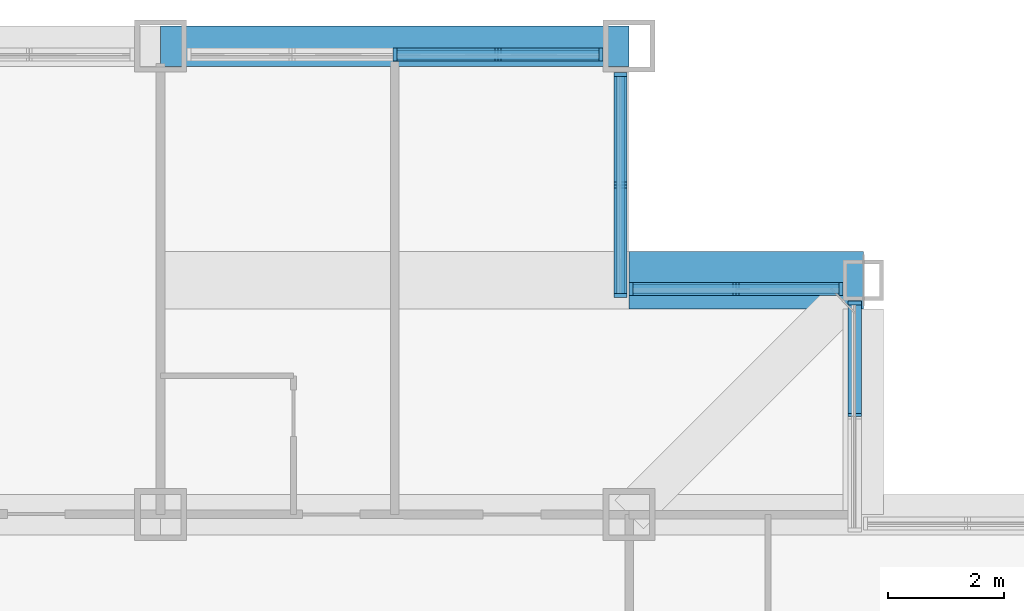
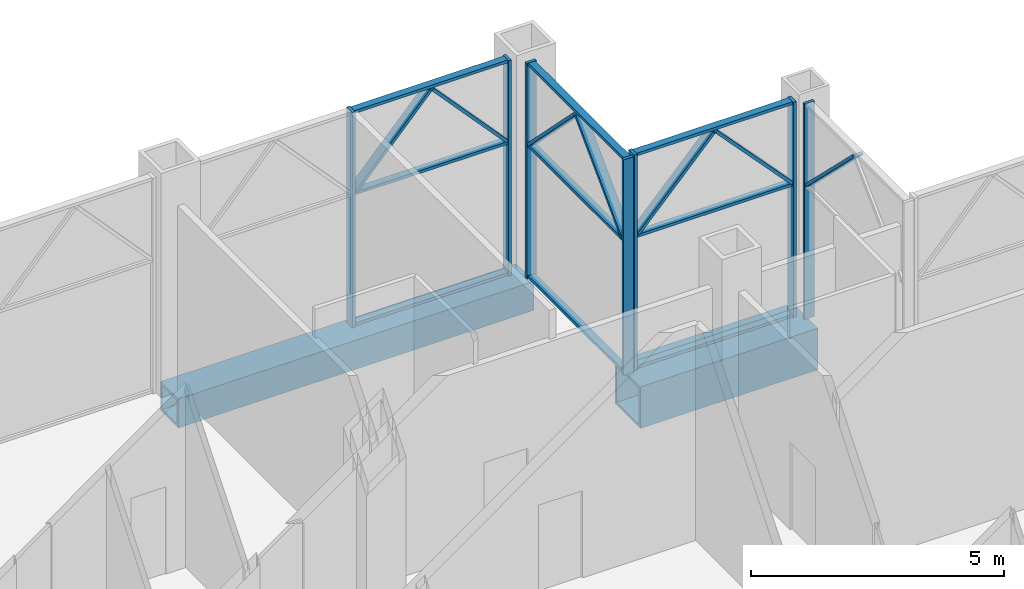
# One storey, part 9 of 26: 23 members, 2 beams, 4 elements without a shape of their own.
"""IFC4 building model written with IfcOpenShell, lengths in metres."""

import ifcopenshell
import ifcopenshell.guid

model = None  # the IFC model being written
_history = None  # IfcOwnerHistory: only IFC2X3 demands one
_inside = {}  # id of a spatial element -> (the spatial element, [elements in it])
_under = {}  # id of a project, library or spatial element -> (it, [spatial elements below it])
_declared = {}  # id of a project -> (the project, [libraries it declares])
_typed = {}  # id of a type object -> (the type object, [elements of that type])
_made_of = {}  # id of a material, layer set ... -> (it, [elements and type objects made of it])


def new_model(schema):
    """Start an empty IFC model of exactly this schema.

    Asked for "IFC4X3", IfcOpenShell would pick the latest addendum, in which some entities
    have other attributes; the version numbers below select the first issue.
    IFC2X3 requires an IfcOwnerHistory on every rooted entity: one is made here for all.
    """
    global model, _history
    if schema == "IFC4X3":
        model = ifcopenshell.file(schema_version=(4, 3, 0, 0))
    else:
        model = ifcopenshell.file(schema=schema)
    _inside.clear()
    _under.clear()
    _declared.clear()
    _typed.clear()
    _made_of.clear()
    _history = None
    if model.schema == "IFC2X3":
        org = make("IfcOrganization", Name="unknown")
        user = make(
            "IfcPersonAndOrganization",
            ThePerson=make("IfcPerson", FamilyName="unknown"),
            TheOrganization=org,
        )
        app = make(
            "IfcApplication",
            ApplicationDeveloper=org,
            Version="unknown",
            ApplicationFullName="unknown",
            ApplicationIdentifier="unknown",
        )
        _history = make(
            "IfcOwnerHistory",
            OwningUser=user,
            OwningApplication=app,
            ChangeAction="ADDED",
            CreationDate=0,
        )
    return model


def make(cls, **values):
    """One entity of the class cls with the attributes given. An attribute that is None is left unset."""
    return model.create_entity(
        cls, **{name: value for name, value in values.items() if value is not None}
    )


def rooted(cls, **values):
    """An entity with a GlobalId (a new one), such as an element, a storey or a relation."""
    return make(cls, GlobalId=ifcopenshell.guid.new(), OwnerHistory=_history, **values)


def si_unit(unit_type, name, prefix=None):
    """IfcSIUnit, for example si_unit("LENGTHUNIT", "METRE", prefix="MILLI")."""
    return make("IfcSIUnit", UnitType=unit_type, Prefix=prefix, Name=name)


def assignment(units):
    """IfcUnitAssignment: the units of a project."""
    return None if units is None else make("IfcUnitAssignment", Units=units)


def point(xyz):
    """IfcCartesianPoint."""
    return None if xyz is None else make("IfcCartesianPoint", Coordinates=xyz)


def direction(xyz):
    """IfcDirection."""
    return None if xyz is None else make("IfcDirection", DirectionRatios=xyz)


def frame(location, z_axis=None, x_axis=None):
    """IfcAxis2Placement3D, a coordinate frame: its origin and axes. An axis left out is left unset."""
    return make(
        "IfcAxis2Placement3D",
        Location=point(location),
        Axis=direction(z_axis),
        RefDirection=direction(x_axis),
    )


def frame_2d(location, x_axis=None):
    """IfcAxis2Placement2D, a coordinate frame in the plane: its origin and x axis."""
    return make(
        "IfcAxis2Placement2D", Location=point(location), RefDirection=direction(x_axis)
    )


def origin():
    """The frame at (0, 0, 0) with its axes left unset."""
    return frame((0.0, 0.0, 0.0))


def origin_2d():
    """The frame at (0, 0) in the plane with its x axis left unset."""
    return frame_2d((0.0, 0.0))


def place(relative_to, where):
    """IfcLocalPlacement: puts the frame where relative to a parent placement (None: the world)."""
    return make(
        "IfcLocalPlacement", PlacementRelTo=relative_to, RelativePlacement=where
    )


def context(
    kind, dimensions, precision=None, world=None, true_north=None, identifier=None
):
    """IfcGeometricRepresentationContext, for example the 3D "Model" context."""
    return make(
        "IfcGeometricRepresentationContext",
        ContextIdentifier=identifier,
        ContextType=kind,
        CoordinateSpaceDimension=dimensions,
        Precision=precision,
        WorldCoordinateSystem=world,
        TrueNorth=true_north,
    )


def subcontext(parent, identifier, kind, view, scale=None):
    """IfcGeometricRepresentationSubContext, for example "Body" below "Model"."""
    return make(
        "IfcGeometricRepresentationSubContext",
        ContextIdentifier=identifier,
        ContextType=kind,
        ParentContext=parent,
        TargetScale=scale,
        TargetView=view,
    )


def project(units=None, contexts=None):
    """IfcProject with its units and contexts."""
    return rooted(
        "IfcProject",
        Name="project",
        RepresentationContexts=contexts,
        UnitsInContext=assignment(units),
    )


def spatial(cls, under=None, at=None, **own):
    """A site, building, storey or space (cls), placed at a placement, below another one or the project."""
    s = rooted(cls, ObjectPlacement=at, **own)
    if under is not None:
        _under.setdefault(under.id(), (under, []))[1].append(s)
    return s


def profile(cls, at=None, kind="AREA", **sizes):
    """A parametric profile (cls). Its sizes go by their IFC names, for example OverallWidth=200.0."""
    return make(cls, ProfileType=kind, Position=at, **sizes)


def rectangle(**sizes):
    """IfcRectangleProfileDef."""
    return profile("IfcRectangleProfileDef", **sizes)


def hollow_rectangle(**sizes):
    """IfcRectangleHollowProfileDef."""
    return profile("IfcRectangleHollowProfileDef", **sizes)


def extrude(swept, where, along, depth):
    """IfcExtrudedAreaSolid: the profile swept, set in the frame where, extruded along a direction by depth."""
    return make(
        "IfcExtrudedAreaSolid",
        SweptArea=swept,
        Position=where,
        ExtrudedDirection=direction(along),
        Depth=depth,
    )


def shape(context_of_items, identifier, shape_type, items):
    """IfcShapeRepresentation: the items that make up one representation, for example the "Body"."""
    return make(
        "IfcShapeRepresentation",
        ContextOfItems=context_of_items,
        RepresentationIdentifier=identifier,
        RepresentationType=shape_type,
        Items=items,
    )


def material(Name=None, Category=None):
    """IfcMaterial."""
    return make("IfcMaterial", Name=Name, Category=Category)


def material_profile(
    of_material, cross_section, Name=None, Category=None, Priority=None
):
    """IfcMaterialProfile: a cross section and its material."""
    return make(
        "IfcMaterialProfile",
        Name=Name,
        Material=of_material,
        Profile=cross_section,
        Priority=Priority,
        Category=Category,
    )


def profile_set(profiles, Name=None, composite=None):
    """IfcMaterialProfileSet."""
    return make(
        "IfcMaterialProfileSet",
        Name=Name,
        MaterialProfiles=profiles,
        CompositeProfile=composite,
    )


def made_of(thing, what):
    """Note that an element or type object is made of a material, layer set ...; save() writes the relation."""
    if what is not None:
        _made_of.setdefault(what.id(), (what, []))[1].append(thing)
    return thing


def type_object(cls, material=None, **own):
    """A type object (cls), such as IfcWallType, which elements share."""
    return made_of(rooted(cls, **own), material)


def element(
    cls,
    number,
    at=None,
    inside=None,
    cuts=None,
    type_object=None,
    material=None,
    context=None,
    identifier="Body",
    shape_type=None,
    held_by="IfcProductDefinitionShape",
    body=None,
    shapes=None,
    **own,
):
    """One element of the class cls, such as IfcWall. Its Tag is "e" and its number.

    at: its placement. inside: the storey or other place that contains it. cuts: it is an
    opening in that element (IfcRelVoidsElement). A single representation is given by context,
    identifier, shape_type and body (its items); several are given by shapes. held_by: the class
    of the entity that holds the representations. save() writes the other relations.
    """
    e = rooted(cls, Tag="e%d" % number, ObjectPlacement=at, **own)
    if body is not None:
        shapes = [shape(context, identifier, shape_type, body)]
    if shapes is not None:
        e.Representation = make(held_by, Representations=shapes)
    if inside is not None:
        _inside.setdefault(inside.id(), (inside, []))[1].append(e)
    if cuts is not None:
        rooted(
            "IfcRelVoidsElement", RelatingBuildingElement=cuts, RelatedOpeningElement=e
        )
    if type_object is not None:
        _typed.setdefault(type_object.id(), (type_object, []))[1].append(e)
    return made_of(e, material)


def aggregate(whole, parts):
    """IfcRelAggregates: a whole, such as a stair, and the parts it consists of."""
    return rooted("IfcRelAggregates", RelatingObject=whole, RelatedObjects=parts)


def save(model, path):
    """Write the relations noted so far, then the file.

    IfcRelAggregates (storeys below a building ...), IfcRelContainedInSpatialStructure (elements
    in a storey), IfcRelDefinesByType, IfcRelAssociatesMaterial and IfcRelDeclares: one each for
    every whole, place, type object, material and project.
    """
    for whole, parts in _under.values():
        aggregate(whole, parts)
    for where, things in _inside.values():
        rooted(
            "IfcRelContainedInSpatialStructure",
            RelatedElements=things,
            RelatingStructure=where,
        )
    for kind, things in _typed.values():
        rooted("IfcRelDefinesByType", RelatedObjects=things, RelatingType=kind)
    for what, things in _made_of.values():
        rooted("IfcRelAssociatesMaterial", RelatedObjects=things, RelatingMaterial=what)
    for by, libraries in _declared.values():
        rooted("IfcRelDeclares", RelatingContext=by, RelatedDefinitions=libraries)
    model.write(path)


model = new_model("IFC4")

# Units and contexts
model_context = context("Model", 3, precision=1e-05, world=origin(), true_north=direction((0.0, 1.0)))
body_context = subcontext(model_context, "Body", "Model", "MODEL_VIEW")
ifc_project = project(units=[si_unit("LENGTHUNIT", "METRE"), si_unit("AREAUNIT", "SQUARE_METRE"), si_unit("VOLUMEUNIT", "CUBIC_METRE"), si_unit("PLANEANGLEUNIT", "RADIAN"), si_unit("MASSUNIT", "GRAM", prefix="KILO")], contexts=[model_context])

# Site, building, storey
site_placement = place(None, origin())
site = spatial("IfcSite", under=ifc_project, at=site_placement, CompositionType="ELEMENT")
building_placement = place(site_placement, origin())
building = spatial("IfcBuilding", under=site, at=building_placement, Name="Kopane Lantern Tower", CompositionType="ELEMENT")
storey_placement = place(building_placement, frame((0.0, 0.0, 98.0)))
storey = spatial("IfcBuildingStorey", under=building, at=storey_placement, Name="L24", CompositionType="ELEMENT", Elevation=98.0)

# Beam
ifc_material_1 = material(Name="Steel S355JR", Category="steel")
ifc_material_profile_1 = material_profile(ifc_material_1, hollow_rectangle(XDim=0.699951171875, YDim=0.699951171875, WallThickness=0.06005859375, at=origin_2d()), Name="BOX 700x700x60")
ifc_profile_set_1 = profile_set([ifc_material_profile_1], Name="Steel S355JR")
beam_type_1 = type_object("IfcBeamType", Name="GIRDER BOX 700x700x60", PredefinedType="BEAM", material=ifc_profile_set_1)
beam_1_placement = place(storey_placement, frame((40.5, 54.0, -0.60009765625), z_axis=(1.0, 0.0, 0.0), x_axis=(0.0, 1.0, 0.0)))
element("IfcBeam", 1, at=beam_1_placement, inside=storey, type_object=beam_type_1, Name="Girder L24", PredefinedType="BEAM", context=body_context, shape_type="SweptSolid", body=[
    extrude(hollow_rectangle(XDim=0.699951171875, YDim=0.699951171875, WallThickness=0.06005859375, at=origin_2d()), origin(), (0.0, 0.0, 1.0), 8.10009765625),
])

# Curtain wall, members
ifc_material_2 = material(Name="Aluminium and clear glass", Category="aluminium")
curtain_wall_type = type_object("IfcCurtainWallType", Name="CURTAIN WALL CW3 SKY LOBBY", PredefinedType="USERDEFINED", material=ifc_material_2)
curtain_wall_1_placement = place(storey_placement, origin())
curtain_wall_1 = element("IfcCurtainWall", 2, at=curtain_wall_1_placement, inside=storey, type_object=curtain_wall_type, Name="Curtain wall CW3 E L24", ObjectType="CURTAIN WALL", PredefinedType="USERDEFINED")
ifc_material_3 = material(Name="Aluminium", Category="aluminium")
ifc_material_profile_2 = material_profile(ifc_material_3, rectangle(XDim=0.070068359375, YDim=0.22509765625, at=origin_2d()), Name="AL 70x225")
ifc_profile_set_2 = profile_set([ifc_material_profile_2], Name="Aluminium")
member_type_1 = type_object("IfcMemberType", Name="MULLION CW3-M 70x225", PredefinedType="MULLION", material=ifc_profile_set_2)
member_1_placement = place(storey_placement, frame((52.5, 49.56005859375, 0.0), z_axis=(0.0, 0.0, 1.0), x_axis=(0.0, 1.0, 0.0)))
member_1 = element("IfcMember", 3, at=member_1_placement, type_object=member_type_1, Name="CW3 mullion 2", PredefinedType="MULLION", context=body_context, shape_type="SweptSolid", body=[
    extrude(rectangle(XDim=0.070068359375, YDim=0.22509765625, at=origin_2d()), origin(), (0.0, 0.0, 1.0), 5.18994140625),
])
member_2_placement = place(storey_placement, frame((52.5, 49.50048828125, 3.25), z_axis=(0.0, -0.713429949389, 0.700726556736), x_axis=(0.0, 0.700726556736, 0.713429949389)))
member_2 = element("IfcMember", 4, at=member_2_placement, type_object=member_type_1, Name="CW3 lancet mullion 1R", PredefinedType="MULLION", context=body_context, shape_type="SweptSolid", body=[
    extrude(rectangle(XDim=0.070068359375, YDim=0.22509765625, at=origin_2d()), origin(), (0.0, 0.0, 1.0), 2.633056640625),
])
aggregate(curtain_wall_1, [member_1, member_2])

curtain_wall_2_placement = place(storey_placement, origin())
curtain_wall_2 = element("IfcCurtainWall", 5, at=curtain_wall_2_placement, inside=storey, type_object=curtain_wall_type, Name="Curtain wall CW3 N L24", ObjectType="CURTAIN WALL", PredefinedType="USERDEFINED")
member_3_placement = place(storey_placement, frame((52.260009765625, 49.800048828125, 0.0), z_axis=(0.0, 0.0, 1.0), x_axis=(-1.0, 0.0, 0.0)))
member_3 = element("IfcMember", 6, at=member_3_placement, type_object=member_type_1, Name="CW3 mullion 1", PredefinedType="MULLION", context=body_context, shape_type="SweptSolid", body=[
    extrude(rectangle(XDim=0.070068359375, YDim=0.22509765625, at=origin_2d()), origin(), (0.0, 0.0, 1.0), 5.18994140625),
])
member_4_placement = place(storey_placement, frame((48.635009765625, 49.800048828125, 0.0), z_axis=(0.0, 0.0, 1.0), x_axis=(-1.0, 0.0, 0.0)))
member_4 = element("IfcMember", 7, at=member_4_placement, type_object=member_type_1, Name="CW3 mullion 2", PredefinedType="MULLION", context=body_context, shape_type="SweptSolid", body=[
    extrude(rectangle(XDim=0.070068359375, YDim=0.22509765625, at=origin_2d()), origin(), (0.0, 0.0, 1.0), 5.18994140625),
])
member_5_placement = place(storey_placement, frame((52.199462890625, 49.800048828125, 3.248779296875), z_axis=(-0.682755043512, 0.0, 0.73064735034), x_axis=(0.73064735034, 0.0, 0.682755043512)))
member_5 = element("IfcMember", 8, at=member_5_placement, type_object=member_type_1, Name="CW3 lancet mullion 1L", PredefinedType="MULLION", context=body_context, shape_type="SweptSolid", body=[
    extrude(rectangle(XDim=0.070068359375, YDim=0.22509765625, at=origin_2d()), origin(), (0.0, 0.0, 1.0), 2.528564453125),
])
member_6_placement = place(storey_placement, frame((48.695556640625, 49.800048828125, 3.248779296875), z_axis=(0.682755043512, 0.0, 0.73064735034), x_axis=(-0.73064735034, 0.0, 0.682755043512)))
member_6 = element("IfcMember", 9, at=member_6_placement, type_object=member_type_1, Name="CW3 lancet mullion 1R", PredefinedType="MULLION", context=body_context, shape_type="SweptSolid", body=[
    extrude(rectangle(XDim=0.070068359375, YDim=0.22509765625, at=origin_2d()), origin(), (0.0, 0.0, 1.0), 2.528564453125),
])

curtain_wall_3_placement = place(storey_placement, origin())
curtain_wall_3 = element("IfcCurtainWall", 10, at=curtain_wall_3_placement, inside=storey, type_object=curtain_wall_type, Name="Curtain wall CW3 E L24", ObjectType="CURTAIN WALL", PredefinedType="USERDEFINED")
member_7_placement = place(storey_placement, frame((48.449951171875, 49.68505859375, 0.0), z_axis=(0.0, 0.0, 1.0), x_axis=(0.0, 1.0, 0.0)))
member_7 = element("IfcMember", 11, at=member_7_placement, type_object=member_type_1, Name="CW3 mullion 1", PredefinedType="MULLION", context=body_context, shape_type="SweptSolid", body=[
    extrude(rectangle(XDim=0.070068359375, YDim=0.22509765625, at=origin_2d()), origin(), (0.0, 0.0, 1.0), 5.18994140625),
])
member_8_placement = place(storey_placement, frame((48.449951171875, 53.510009765625, 0.0), z_axis=(0.0, 0.0, 1.0), x_axis=(0.0, 1.0, 0.0)))
member_8 = element("IfcMember", 12, at=member_8_placement, type_object=member_type_1, Name="CW3 mullion 2", PredefinedType="MULLION", context=body_context, shape_type="SweptSolid", body=[
    extrude(rectangle(XDim=0.070068359375, YDim=0.22509765625, at=origin_2d()), origin(), (0.0, 0.0, 1.0), 5.18994140625),
])
member_9_placement = place(storey_placement, frame((48.449951171875, 49.744873046875, 3.24951171875), z_axis=(0.0, 0.703573550924, 0.710622444368), x_axis=(0.0, -0.710622444368, 0.703573550924)))
member_9 = element("IfcMember", 13, at=member_9_placement, type_object=member_type_1, Name="CW3 lancet mullion 1L", PredefinedType="MULLION", context=body_context, shape_type="SweptSolid", body=[
    extrude(rectangle(XDim=0.070068359375, YDim=0.22509765625, at=origin_2d()), origin(), (0.0, 0.0, 1.0), 2.59765625),
])
member_10_placement = place(storey_placement, frame((48.449951171875, 53.4501953125, 3.24951171875), z_axis=(0.0, -0.703621007287, 0.710575455602), x_axis=(0.0, 0.710575455602, 0.703621007287)))
member_10 = element("IfcMember", 14, at=member_10_placement, type_object=member_type_1, Name="CW3 lancet mullion 1R", PredefinedType="MULLION", context=body_context, shape_type="SweptSolid", body=[
    extrude(rectangle(XDim=0.070068359375, YDim=0.22509765625, at=origin_2d()), origin(), (0.0, 0.0, 1.0), 2.597900390625),
])

curtain_wall_4_placement = place(storey_placement, origin())
curtain_wall_4 = element("IfcCurtainWall", 15, at=curtain_wall_4_placement, inside=storey, type_object=curtain_wall_type, Name="Curtain wall CW3 N L24", ObjectType="CURTAIN WALL", PredefinedType="USERDEFINED")
member_11_placement = place(storey_placement, frame((48.110107421875, 53.85009765625, 0.0), z_axis=(0.0, 0.0, 1.0), x_axis=(-1.0, 0.0, 0.0)))
member_11 = element("IfcMember", 16, at=member_11_placement, type_object=member_type_1, Name="CW3 mullion 1", PredefinedType="MULLION", context=body_context, shape_type="SweptSolid", body=[
    extrude(rectangle(XDim=0.070068359375, YDim=0.22509765625, at=origin_2d()), origin(), (0.0, 0.0, 1.0), 5.18994140625),
])
member_12_placement = place(storey_placement, frame((44.550048828125, 53.85009765625, 0.0), z_axis=(0.0, 0.0, 1.0), x_axis=(-1.0, 0.0, 0.0)))
member_12 = element("IfcMember", 17, at=member_12_placement, type_object=member_type_1, Name="CW3 mullion 2", PredefinedType="MULLION", context=body_context, shape_type="SweptSolid", body=[
    extrude(rectangle(XDim=0.070068359375, YDim=0.22509765625, at=origin_2d()), origin(), (0.0, 0.0, 1.0), 5.18994140625),
])
member_13_placement = place(storey_placement, frame((48.04931640625, 53.85009765625, 3.24853515625), z_axis=(-0.675658467828, 0.0, 0.737214782036), x_axis=(0.737214782036, 0.0, 0.675658467828)))
member_13 = element("IfcMember", 18, at=member_13_placement, type_object=member_type_1, Name="CW3 lancet mullion 1L", PredefinedType="MULLION", context=body_context, shape_type="SweptSolid", body=[
    extrude(rectangle(XDim=0.070068359375, YDim=0.22509765625, at=origin_2d()), origin(), (0.0, 0.0, 1.0), 2.506591796875),
])
member_14_placement = place(storey_placement, frame((44.61083984375, 53.85009765625, 3.24853515625), z_axis=(0.675605527519, 0.0, 0.737263298413), x_axis=(-0.737263298413, 0.0, 0.675605527519)))
member_14 = element("IfcMember", 19, at=member_14_placement, type_object=member_type_1, Name="CW3 lancet mullion 1R", PredefinedType="MULLION", context=body_context, shape_type="SweptSolid", body=[
    extrude(rectangle(XDim=0.070068359375, YDim=0.22509765625, at=origin_2d()), origin(), (0.0, 0.0, 1.0), 2.50634765625),
])

# Beam
ifc_material_4 = material(Name="Steel S355JR", Category="steel")
ifc_material_profile_3 = material_profile(ifc_material_4, hollow_rectangle(XDim=1.0, YDim=1.0, WallThickness=0.06005859375, at=origin_2d()), Name="BOX 1000x1000x60")
ifc_profile_set_3 = profile_set([ifc_material_profile_3], Name="Steel S355JR")
beam_type_2 = type_object("IfcBeamType", Name="TRANSFER BEAM BOX 1000x1000x60", PredefinedType="BEAM", material=ifc_profile_set_3)
beam_2_placement = place(storey_placement, frame((52.64990234375, 49.949951171875, -0.75), z_axis=(-1.0, 0.0, 0.0), x_axis=(0.0, -1.0, 0.0)))
element("IfcBeam", 20, at=beam_2_placement, inside=storey, type_object=beam_type_2, Name="Transfer Beam L24", PredefinedType="BEAM", context=body_context, shape_type="SweptSolid", body=[
    extrude(hollow_rectangle(XDim=1.0, YDim=1.0, WallThickness=0.06005859375, at=origin_2d()), origin(), (0.0, 0.0, 1.0), 4.0498046875),
])

# Member
ifc_material_5 = material(Name="Aluminium", Category="aluminium")
ifc_material_profile_4 = material_profile(ifc_material_5, rectangle(XDim=0.159912109375, YDim=0.070068359375, at=origin_2d()), Name="AL 160x70")
ifc_profile_set_4 = profile_set([ifc_material_profile_4], Name="Aluminium")
member_type_2 = type_object("IfcMemberType", Name="TRANSOM CW3-T 70x160", PredefinedType="USERDEFINED", material=ifc_profile_set_4)
member_15_placement = place(storey_placement, frame((52.22509765625, 49.800048828125, 0.034912109375), z_axis=(-1.0, 0.0, 0.0), x_axis=(0.0, -1.0, 0.0)))
member_15 = element("IfcMember", 21, at=member_15_placement, type_object=member_type_2, Name="CW3 transom 1.1", ObjectType="TRANSOM", PredefinedType="USERDEFINED", context=body_context, shape_type="SweptSolid", body=[
    extrude(rectangle(XDim=0.159912109375, YDim=0.070068359375, at=origin_2d()), origin(), (0.0, 0.0, 1.0), 3.55517578125),
])

member_16_placement = place(storey_placement, frame((52.22509765625, 49.800048828125, 3.18994140625), z_axis=(-1.0, 0.0, 0.0), x_axis=(0.0, -1.0, 0.0)))
member_16 = element("IfcMember", 22, at=member_16_placement, type_object=member_type_2, Name="CW3 transom 1.2", ObjectType="TRANSOM", PredefinedType="USERDEFINED", context=body_context, shape_type="SweptSolid", body=[
    extrude(rectangle(XDim=0.159912109375, YDim=0.070068359375, at=origin_2d()), origin(), (0.0, 0.0, 1.0), 3.55517578125),
])

member_17_placement = place(storey_placement, frame((52.22509765625, 49.800048828125, 5.155029296875), z_axis=(-1.0, 0.0, 0.0), x_axis=(0.0, -1.0, 0.0)))
member_17 = element("IfcMember", 23, at=member_17_placement, type_object=member_type_2, Name="CW3 transom 1.3", ObjectType="TRANSOM", PredefinedType="USERDEFINED", context=body_context, shape_type="SweptSolid", body=[
    extrude(rectangle(XDim=0.159912109375, YDim=0.070068359375, at=origin_2d()), origin(), (0.0, 0.0, 1.0), 3.55517578125),
])

aggregate(curtain_wall_2, [member_3, member_4, member_15, member_16, member_17, member_5, member_6])

member_18_placement = place(storey_placement, frame((48.449951171875, 49.719970703125, 0.034912109375), z_axis=(0.0, 1.0, 0.0), x_axis=(-1.0, 0.0, 0.0)))
member_18 = element("IfcMember", 24, at=member_18_placement, type_object=member_type_2, Name="CW3 transom 1.1", ObjectType="TRANSOM", PredefinedType="USERDEFINED", context=body_context, shape_type="SweptSolid", body=[
    extrude(rectangle(XDim=0.159912109375, YDim=0.070068359375, at=origin_2d()), origin(), (0.0, 0.0, 1.0), 3.755126953125),
])

member_19_placement = place(storey_placement, frame((48.449951171875, 49.719970703125, 3.18994140625), z_axis=(0.0, 1.0, 0.0), x_axis=(-1.0, 0.0, 0.0)))
member_19 = element("IfcMember", 25, at=member_19_placement, type_object=member_type_2, Name="CW3 transom 1.2", ObjectType="TRANSOM", PredefinedType="USERDEFINED", context=body_context, shape_type="SweptSolid", body=[
    extrude(rectangle(XDim=0.159912109375, YDim=0.070068359375, at=origin_2d()), origin(), (0.0, 0.0, 1.0), 3.755126953125),
])

member_20_placement = place(storey_placement, frame((48.449951171875, 49.719970703125, 5.155029296875), z_axis=(0.0, 1.0, 0.0), x_axis=(-1.0, 0.0, 0.0)))
member_20 = element("IfcMember", 26, at=member_20_placement, type_object=member_type_2, Name="CW3 transom 1.3", ObjectType="TRANSOM", PredefinedType="USERDEFINED", context=body_context, shape_type="SweptSolid", body=[
    extrude(rectangle(XDim=0.159912109375, YDim=0.070068359375, at=origin_2d()), origin(), (0.0, 0.0, 1.0), 3.755126953125),
])

aggregate(curtain_wall_3, [member_7, member_8, member_18, member_19, member_20, member_9, member_10])

member_21_placement = place(storey_placement, frame((48.074951171875, 53.85009765625, 0.034912109375), z_axis=(-1.0, 0.0, 0.0), x_axis=(0.0, -1.0, 0.0)))
member_21 = element("IfcMember", 27, at=member_21_placement, type_object=member_type_2, Name="CW3 transom 1.1", ObjectType="TRANSOM", PredefinedType="USERDEFINED", context=body_context, shape_type="SweptSolid", body=[
    extrude(rectangle(XDim=0.159912109375, YDim=0.070068359375, at=origin_2d()), origin(), (0.0, 0.0, 1.0), 3.489990234375),
])

member_22_placement = place(storey_placement, frame((48.074951171875, 53.85009765625, 3.18994140625), z_axis=(-1.0, 0.0, 0.0), x_axis=(0.0, -1.0, 0.0)))
member_22 = element("IfcMember", 28, at=member_22_placement, type_object=member_type_2, Name="CW3 transom 1.2", ObjectType="TRANSOM", PredefinedType="USERDEFINED", context=body_context, shape_type="SweptSolid", body=[
    extrude(rectangle(XDim=0.159912109375, YDim=0.070068359375, at=origin_2d()), origin(), (0.0, 0.0, 1.0), 3.489990234375),
])

member_23_placement = place(storey_placement, frame((48.074951171875, 53.85009765625, 5.155029296875), z_axis=(-1.0, 0.0, 0.0), x_axis=(0.0, -1.0, 0.0)))
member_23 = element("IfcMember", 29, at=member_23_placement, type_object=member_type_2, Name="CW3 transom 1.3", ObjectType="TRANSOM", PredefinedType="USERDEFINED", context=body_context, shape_type="SweptSolid", body=[
    extrude(rectangle(XDim=0.159912109375, YDim=0.070068359375, at=origin_2d()), origin(), (0.0, 0.0, 1.0), 3.489990234375),
])

aggregate(curtain_wall_4, [member_11, member_12, member_21, member_22, member_23, member_13, member_14])

save(model, "model.ifc")
